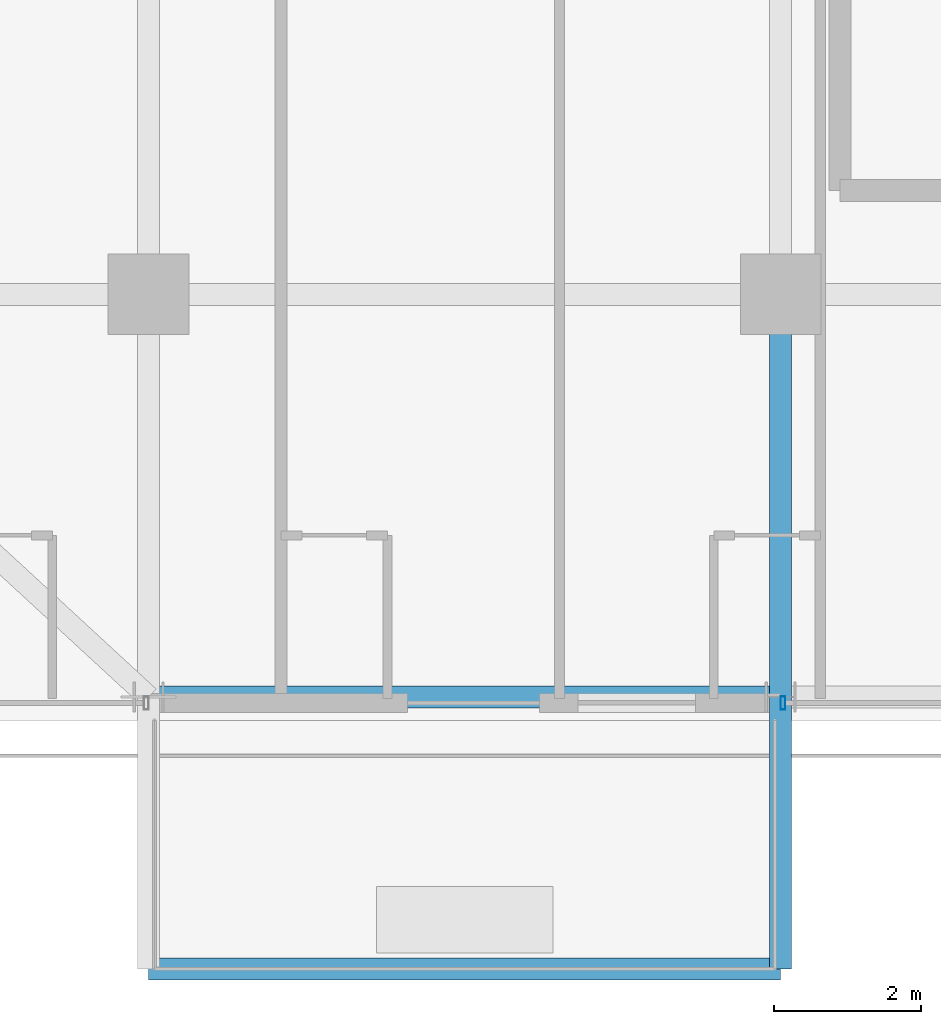
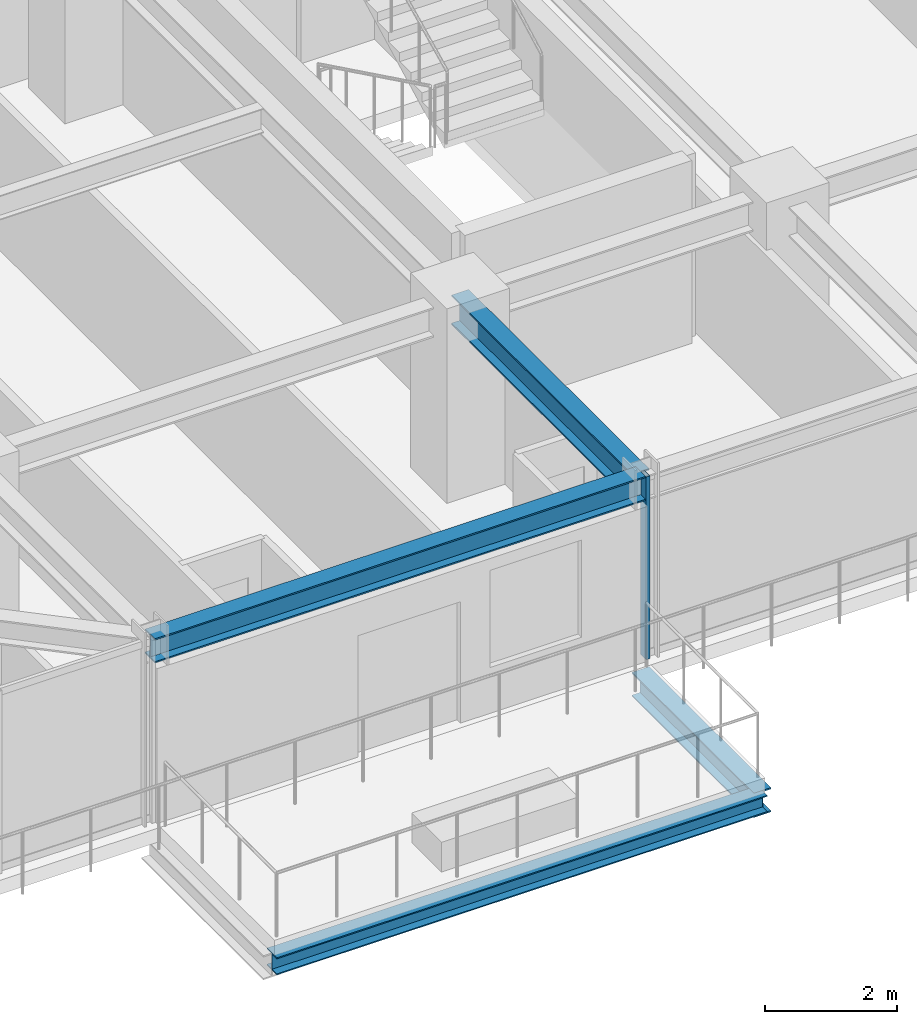
# One storey, part 3 of 33: 4 beams, 1 member, 1 element without a shape of its own.
"""IFC4 building model written with IfcOpenShell, lengths in metres."""

import ifcopenshell
import ifcopenshell.guid

model = None  # the IFC model being written
_history = None  # IfcOwnerHistory: only IFC2X3 demands one
_inside = {}  # id of a spatial element -> (the spatial element, [elements in it])
_under = {}  # id of a project, library or spatial element -> (it, [spatial elements below it])
_declared = {}  # id of a project -> (the project, [libraries it declares])
_typed = {}  # id of a type object -> (the type object, [elements of that type])
_made_of = {}  # id of a material, layer set ... -> (it, [elements and type objects made of it])


def new_model(schema):
    """Start an empty IFC model of exactly this schema.

    Asked for "IFC4X3", IfcOpenShell would pick the latest addendum, in which some entities
    have other attributes; the version numbers below select the first issue.
    IFC2X3 requires an IfcOwnerHistory on every rooted entity: one is made here for all.
    """
    global model, _history
    if schema == "IFC4X3":
        model = ifcopenshell.file(schema_version=(4, 3, 0, 0))
    else:
        model = ifcopenshell.file(schema=schema)
    _inside.clear()
    _under.clear()
    _declared.clear()
    _typed.clear()
    _made_of.clear()
    _history = None
    if model.schema == "IFC2X3":
        org = make("IfcOrganization", Name="unknown")
        user = make(
            "IfcPersonAndOrganization",
            ThePerson=make("IfcPerson", FamilyName="unknown"),
            TheOrganization=org,
        )
        app = make(
            "IfcApplication",
            ApplicationDeveloper=org,
            Version="unknown",
            ApplicationFullName="unknown",
            ApplicationIdentifier="unknown",
        )
        _history = make(
            "IfcOwnerHistory",
            OwningUser=user,
            OwningApplication=app,
            ChangeAction="ADDED",
            CreationDate=0,
        )
    return model


def make(cls, **values):
    """One entity of the class cls with the attributes given. An attribute that is None is left unset."""
    return model.create_entity(
        cls, **{name: value for name, value in values.items() if value is not None}
    )


def rooted(cls, **values):
    """An entity with a GlobalId (a new one), such as an element, a storey or a relation."""
    return make(cls, GlobalId=ifcopenshell.guid.new(), OwnerHistory=_history, **values)


def si_unit(unit_type, name, prefix=None):
    """IfcSIUnit, for example si_unit("LENGTHUNIT", "METRE", prefix="MILLI")."""
    return make("IfcSIUnit", UnitType=unit_type, Prefix=prefix, Name=name)


def assignment(units):
    """IfcUnitAssignment: the units of a project."""
    return None if units is None else make("IfcUnitAssignment", Units=units)


def point(xyz):
    """IfcCartesianPoint."""
    return None if xyz is None else make("IfcCartesianPoint", Coordinates=xyz)


def direction(xyz):
    """IfcDirection."""
    return None if xyz is None else make("IfcDirection", DirectionRatios=xyz)


def frame(location, z_axis=None, x_axis=None):
    """IfcAxis2Placement3D, a coordinate frame: its origin and axes. An axis left out is left unset."""
    return make(
        "IfcAxis2Placement3D",
        Location=point(location),
        Axis=direction(z_axis),
        RefDirection=direction(x_axis),
    )


def frame_2d(location, x_axis=None):
    """IfcAxis2Placement2D, a coordinate frame in the plane: its origin and x axis."""
    return make(
        "IfcAxis2Placement2D", Location=point(location), RefDirection=direction(x_axis)
    )


def origin():
    """The frame at (0, 0, 0) with its axes left unset."""
    return frame((0.0, 0.0, 0.0))


def origin_2d():
    """The frame at (0, 0) in the plane with its x axis left unset."""
    return frame_2d((0.0, 0.0))


def place(relative_to, where):
    """IfcLocalPlacement: puts the frame where relative to a parent placement (None: the world)."""
    return make(
        "IfcLocalPlacement", PlacementRelTo=relative_to, RelativePlacement=where
    )


def context(
    kind, dimensions, precision=None, world=None, true_north=None, identifier=None
):
    """IfcGeometricRepresentationContext, for example the 3D "Model" context."""
    return make(
        "IfcGeometricRepresentationContext",
        ContextIdentifier=identifier,
        ContextType=kind,
        CoordinateSpaceDimension=dimensions,
        Precision=precision,
        WorldCoordinateSystem=world,
        TrueNorth=true_north,
    )


def subcontext(parent, identifier, kind, view, scale=None):
    """IfcGeometricRepresentationSubContext, for example "Body" below "Model"."""
    return make(
        "IfcGeometricRepresentationSubContext",
        ContextIdentifier=identifier,
        ContextType=kind,
        ParentContext=parent,
        TargetScale=scale,
        TargetView=view,
    )


def project(units=None, contexts=None):
    """IfcProject with its units and contexts."""
    return rooted(
        "IfcProject",
        Name="project",
        RepresentationContexts=contexts,
        UnitsInContext=assignment(units),
    )


def spatial(cls, under=None, at=None, **own):
    """A site, building, storey or space (cls), placed at a placement, below another one or the project."""
    s = rooted(cls, ObjectPlacement=at, **own)
    if under is not None:
        _under.setdefault(under.id(), (under, []))[1].append(s)
    return s


def profile(cls, at=None, kind="AREA", **sizes):
    """A parametric profile (cls). Its sizes go by their IFC names, for example OverallWidth=200.0."""
    return make(cls, ProfileType=kind, Position=at, **sizes)


def hollow_rectangle(**sizes):
    """IfcRectangleHollowProfileDef."""
    return profile("IfcRectangleHollowProfileDef", **sizes)


def i_section(**sizes):
    """IfcIShapeProfileDef."""
    return profile("IfcIShapeProfileDef", **sizes)


def extrude(swept, where, along, depth):
    """IfcExtrudedAreaSolid: the profile swept, set in the frame where, extruded along a direction by depth."""
    return make(
        "IfcExtrudedAreaSolid",
        SweptArea=swept,
        Position=where,
        ExtrudedDirection=direction(along),
        Depth=depth,
    )


def shape(context_of_items, identifier, shape_type, items):
    """IfcShapeRepresentation: the items that make up one representation, for example the "Body"."""
    return make(
        "IfcShapeRepresentation",
        ContextOfItems=context_of_items,
        RepresentationIdentifier=identifier,
        RepresentationType=shape_type,
        Items=items,
    )


def source(mapping_origin, context_of_items, identifier, shape_type, items):
    """IfcRepresentationMap: a shape defined once, which mapped items show again and again."""
    return make(
        "IfcRepresentationMap",
        MappingOrigin=mapping_origin,
        MappedRepresentation=shape(context_of_items, identifier, shape_type, items),
    )


def transform(
    local_origin,
    x_axis=None,
    y_axis=None,
    z_axis=None,
    scale=None,
    scale2=None,
    scale3=None,
    uniform=True,
):
    """IfcCartesianTransformationOperator3D, or its non-uniform kind. x_axis, y_axis, z_axis: its Axis1, 2, 3."""
    if uniform:
        return make(
            "IfcCartesianTransformationOperator3D",
            Axis1=direction(x_axis),
            Axis2=direction(y_axis),
            LocalOrigin=point(local_origin),
            Scale=scale,
            Axis3=direction(z_axis),
        )
    return make(
        "IfcCartesianTransformationOperator3DnonUniform",
        Axis1=direction(x_axis),
        Axis2=direction(y_axis),
        LocalOrigin=point(local_origin),
        Scale=scale,
        Axis3=direction(z_axis),
        Scale2=scale2,
        Scale3=scale3,
    )


def mapped(mapping_source, mapping_target):
    """IfcMappedItem: shows the shape of a source again, moved by a transform."""
    return make(
        "IfcMappedItem", MappingSource=mapping_source, MappingTarget=mapping_target
    )


def material(Name=None, Category=None):
    """IfcMaterial."""
    return make("IfcMaterial", Name=Name, Category=Category)


def material_profile(
    of_material, cross_section, Name=None, Category=None, Priority=None
):
    """IfcMaterialProfile: a cross section and its material."""
    return make(
        "IfcMaterialProfile",
        Name=Name,
        Material=of_material,
        Profile=cross_section,
        Priority=Priority,
        Category=Category,
    )


def profile_set(profiles, Name=None, composite=None):
    """IfcMaterialProfileSet."""
    return make(
        "IfcMaterialProfileSet",
        Name=Name,
        MaterialProfiles=profiles,
        CompositeProfile=composite,
    )


def made_of(thing, what):
    """Note that an element or type object is made of a material, layer set ...; save() writes the relation."""
    if what is not None:
        _made_of.setdefault(what.id(), (what, []))[1].append(thing)
    return thing


def type_object(cls, material=None, **own):
    """A type object (cls), such as IfcWallType, which elements share."""
    return made_of(rooted(cls, **own), material)


def element(
    cls,
    number,
    at=None,
    inside=None,
    cuts=None,
    type_object=None,
    material=None,
    context=None,
    identifier="Body",
    shape_type=None,
    held_by="IfcProductDefinitionShape",
    body=None,
    shapes=None,
    **own,
):
    """One element of the class cls, such as IfcWall. Its Tag is "e" and its number.

    at: its placement. inside: the storey or other place that contains it. cuts: it is an
    opening in that element (IfcRelVoidsElement). A single representation is given by context,
    identifier, shape_type and body (its items); several are given by shapes. held_by: the class
    of the entity that holds the representations. save() writes the other relations.
    """
    e = rooted(cls, Tag="e%d" % number, ObjectPlacement=at, **own)
    if body is not None:
        shapes = [shape(context, identifier, shape_type, body)]
    if shapes is not None:
        e.Representation = make(held_by, Representations=shapes)
    if inside is not None:
        _inside.setdefault(inside.id(), (inside, []))[1].append(e)
    if cuts is not None:
        rooted(
            "IfcRelVoidsElement", RelatingBuildingElement=cuts, RelatedOpeningElement=e
        )
    if type_object is not None:
        _typed.setdefault(type_object.id(), (type_object, []))[1].append(e)
    return made_of(e, material)


def aggregate(whole, parts):
    """IfcRelAggregates: a whole, such as a stair, and the parts it consists of."""
    return rooted("IfcRelAggregates", RelatingObject=whole, RelatedObjects=parts)


def save(model, path):
    """Write the relations noted so far, then the file.

    IfcRelAggregates (storeys below a building ...), IfcRelContainedInSpatialStructure (elements
    in a storey), IfcRelDefinesByType, IfcRelAssociatesMaterial and IfcRelDeclares: one each for
    every whole, place, type object, material and project.
    """
    for whole, parts in _under.values():
        aggregate(whole, parts)
    for where, things in _inside.values():
        rooted(
            "IfcRelContainedInSpatialStructure",
            RelatedElements=things,
            RelatingStructure=where,
        )
    for kind, things in _typed.values():
        rooted("IfcRelDefinesByType", RelatedObjects=things, RelatingType=kind)
    for what, things in _made_of.values():
        rooted("IfcRelAssociatesMaterial", RelatedObjects=things, RelatingMaterial=what)
    for by, libraries in _declared.values():
        rooted("IfcRelDeclares", RelatingContext=by, RelatedDefinitions=libraries)
    model.write(path)


model = new_model("IFC4")

# Units and contexts
model_context = context("Model", 3, precision=1e-05, world=origin(), true_north=direction((0.0, 1.0)))
body_context = subcontext(model_context, "Body", "Model", "MODEL_VIEW")
ifc_project = project(units=[si_unit("LENGTHUNIT", "METRE"), si_unit("AREAUNIT", "SQUARE_METRE"), si_unit("VOLUMEUNIT", "CUBIC_METRE"), si_unit("PLANEANGLEUNIT", "RADIAN"), si_unit("MASSUNIT", "GRAM", prefix="KILO")], contexts=[model_context])

# Site, building, storey
site_placement = place(None, origin())
site = spatial("IfcSite", under=ifc_project, at=site_placement, CompositionType="ELEMENT")
building_placement = place(site_placement, origin())
building = spatial("IfcBuilding", under=site, at=building_placement, Name="Nahalor Promenade Grand Hotel", CompositionType="ELEMENT")
storey_placement = place(building_placement, frame((0.0, 0.0, 149.0)))
storey = spatial("IfcBuildingStorey", under=building, at=storey_placement, Name="L37", CompositionType="ELEMENT", Elevation=149.0)

# Beams
ifc_material_1 = material(Name="Steel S355JR", Category="steel")
ifc_material_profile_1 = material_profile(ifc_material_1, i_section(OverallWidth=0.3, OverallDepth=0.32, WebThickness=0.0115, FlangeThickness=0.0205, at=origin_2d()), Name="HEB 320")
ifc_profile_set_1 = profile_set([ifc_material_profile_1], Name="Steel S355JR")
beam_type_1 = type_object("IfcBeamType", Name="Beam-BalcEdge-HEB320", PredefinedType="SPANDREL", material=ifc_profile_set_1)
shared_shape_1 = source(origin(), body_context, "Body", "SweptSolid", [
    extrude(i_section(OverallWidth=0.3, OverallDepth=0.32, WebThickness=0.0115, FlangeThickness=0.0205, at=origin_2d()), origin(), (0.0, 0.0, 1.0), 8.60009765625),
])
beam_1_placement = place(storey_placement, frame((-17.0, -26.179931640625, -0.43994140625), z_axis=(1.0, 0.0, 0.0), x_axis=(0.0, 1.0, 0.0)))
element("IfcBeam", 1, at=beam_1_placement, inside=storey, type_object=beam_type_1, Name="BM-L37-BC-01-F", PredefinedType="SPANDREL", context=body_context, shape_type="MappedRepresentation", body=[
    mapped(shared_shape_1, transform((0.0, 0.0, 0.0), scale=1.0)),
])
ifc_material_profile_2 = material_profile(ifc_material_1, i_section(OverallWidth=0.3, OverallDepth=0.45, WebThickness=0.014, FlangeThickness=0.026, at=origin_2d()), Name="HEB 450")
ifc_profile_set_2 = profile_set([ifc_material_profile_2], Name="Steel S355JR")
beam_type_2 = type_object("IfcBeamType", Name="Beam-Outrigger-HEB450", PredefinedType="BEAM", material=ifc_profile_set_2)
shared_shape_2 = source(origin(), body_context, "Body", "SweptSolid", [
    extrude(i_section(OverallWidth=0.3, OverallDepth=0.45, WebThickness=0.014, FlangeThickness=0.026, at=origin_2d()), origin(), (0.0, 0.0, 1.0), 3.699951171875),
])
beam_2_placement = place(storey_placement, frame((-8.39990234375, -26.179931640625, -0.5048828125), z_axis=(0.0, 1.0, 0.0), x_axis=(-1.0, 0.0, 0.0)))
element("IfcBeam", 2, at=beam_2_placement, inside=storey, type_object=beam_type_2, Name="BM-L37-BC-01-2", PredefinedType="BEAM", context=body_context, shape_type="MappedRepresentation", body=[
    mapped(shared_shape_2, transform((0.0, 0.0, 0.0), scale=1.0)),
])
ifc_material_profile_3 = material_profile(ifc_material_1, i_section(OverallWidth=0.3, OverallDepth=0.55, WebThickness=0.015, FlangeThickness=0.029, at=origin_2d()), Name="HEB 550")
ifc_profile_set_3 = profile_set([ifc_material_profile_3], Name="Steel S355JR")
beam_type_3 = type_object("IfcBeamType", Name="Beam-Girder-HEB550", PredefinedType="BEAM", material=ifc_profile_set_3)
shared_shape_3 = source(origin(), body_context, "Body", "SweptSolid", [
    extrude(i_section(OverallWidth=0.3, OverallDepth=0.55, WebThickness=0.015, FlangeThickness=0.029, at=origin_2d()), origin(), (0.0, 0.0, 1.0), 5.47998046875),
])
beam_3_placement = place(storey_placement, frame((-8.39990234375, -22.47998046875, 3.114990234375), z_axis=(0.0, 1.0, 0.0), x_axis=(-1.0, 0.0, 0.0)))
element("IfcBeam", 3, at=beam_3_placement, inside=storey, type_object=beam_type_3, Name="BM-L37-GY-1-0", PredefinedType="BEAM", context=body_context, shape_type="MappedRepresentation", body=[
    mapped(shared_shape_3, transform((0.0, 0.0, 0.0), scale=1.0)),
])
ifc_material_profile_4 = material_profile(ifc_material_1, i_section(OverallWidth=0.3, OverallDepth=0.45, WebThickness=0.014, FlangeThickness=0.026, at=origin_2d()), Name="HEB 450")
ifc_profile_set_4 = profile_set([ifc_material_profile_4], Name="Steel S355JR")
beam_type_4 = type_object("IfcBeamType", Name="Beam-Spandrel-HEB450", PredefinedType="SPANDREL", material=ifc_profile_set_4)
shared_shape_4 = source(origin(), body_context, "Body", "SweptSolid", [
    extrude(i_section(OverallWidth=0.3, OverallDepth=0.45, WebThickness=0.014, FlangeThickness=0.026, at=origin_2d()), origin(), (0.0, 0.0, 1.0), 8.60009765625),
])
beam_4_placement = place(storey_placement, frame((-17.0, -22.47998046875, 3.1650390625), z_axis=(1.0, 0.0, 0.0), x_axis=(0.0, 1.0, 0.0)))
element("IfcBeam", 4, at=beam_4_placement, inside=storey, type_object=beam_type_4, Name="BM-L37-SP-S-0", PredefinedType="SPANDREL", context=body_context, shape_type="MappedRepresentation", body=[
    mapped(shared_shape_4, transform((0.0, 0.0, 0.0), scale=1.0)),
])

# Curtain wall, member
ifc_material_2 = material(Name="Anodised Bronze Aluminium EN AW-6063 T6", Category="aluminium")
curtain_wall_type = type_object("IfcCurtainWallType", Name="CW2 Typical Hotel Flush Bronze Unitised Curtain Wall", PredefinedType="USERDEFINED", material=ifc_material_2)
curtain_wall_placement = place(storey_placement, origin())
curtain_wall = element("IfcCurtainWall", 5, at=curtain_wall_placement, inside=storey, type_object=curtain_wall_type, Name="L37 Curtain Wall CW-L37-S-3", ObjectType="UNITISED_CURTAIN_WALL", PredefinedType="USERDEFINED")
ifc_material_profile_5 = material_profile(ifc_material_2, hollow_rectangle(XDim=0.065, YDim=0.18, WallThickness=0.004, at=origin_2d()), Name="CWM 65x180x4")
ifc_profile_set_5 = profile_set([ifc_material_profile_5], Name="Anodised Bronze Aluminium EN AW-6063 T6")
member_type = type_object("IfcMemberType", Name="CWM2 Typical Bronze Mullion 65x180", PredefinedType="MULLION", material=ifc_profile_set_5)
shared_shape_5 = source(origin(), body_context, "Body", "SweptSolid", [
    extrude(hollow_rectangle(XDim=0.065, YDim=0.18, WallThickness=0.004, at=origin_2d()), origin(), (0.0, 0.0, 1.0), 3.389892578125),
])
member_placement = place(storey_placement, frame((-8.367431640625, -22.56005859375, 0.0), z_axis=(0.0, 0.0, 1.0), x_axis=(1.0, 0.0, 0.0)))
member = element("IfcMember", 6, at=member_placement, type_object=member_type, Name="CW-L37-S-3 Mullion 0", PredefinedType="MULLION", context=body_context, shape_type="MappedRepresentation", body=[
    mapped(shared_shape_5, transform((0.0, 0.0, 0.0), scale=1.0)),
])
aggregate(curtain_wall, [member])

save(model, "model.ifc")
